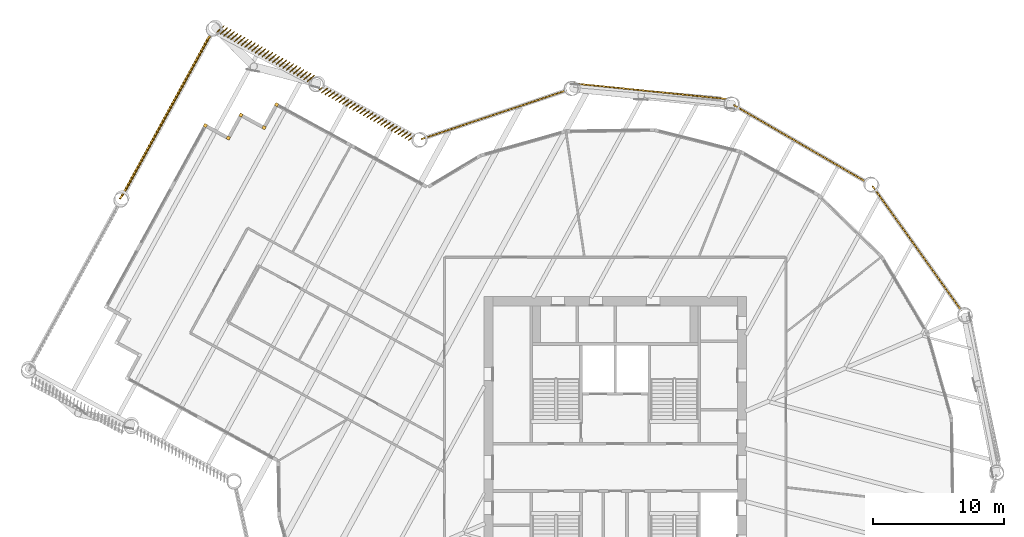
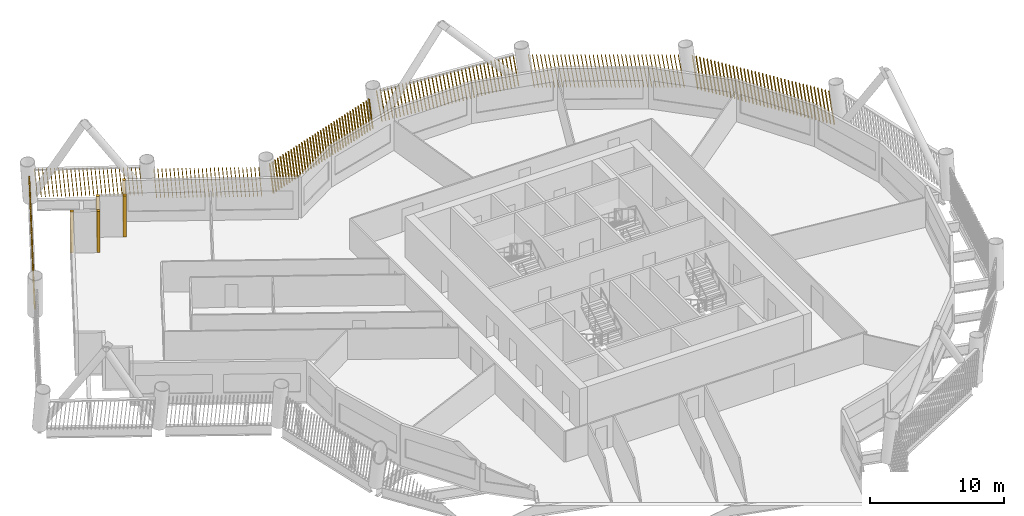
# One storey, part 23 of 24: 12 shading devices.
"""IFC4 building model written with IfcOpenShell, lengths in metres."""

from ifc_helpers import new_model, si_unit, direction, frame, frame_2d, origin, origin_2d, place, context, subcontext, project, spatial, rectangle, composite_profile, extrude, material, type_object, element, save


model = new_model("IFC4")

# Units and contexts
model_context = context("Model", 3, precision=1e-05, world=origin(), true_north=direction((0.0, 1.0)))
body_context = subcontext(model_context, "Body", "Model", "MODEL_VIEW")
ifc_project = project(units=[si_unit("LENGTHUNIT", "METRE"), si_unit("AREAUNIT", "SQUARE_METRE"), si_unit("VOLUMEUNIT", "CUBIC_METRE"), si_unit("PLANEANGLEUNIT", "RADIAN"), si_unit("MASSUNIT", "GRAM", prefix="KILO")], contexts=[model_context])

# Site, building, storey
site_placement = place(None, origin())
site = spatial("IfcSite", under=ifc_project, at=site_placement, CompositionType="ELEMENT")
building_placement = place(site_placement, origin())
building = spatial("IfcBuilding", under=site, at=building_placement, Name="Tarsis Ring Headquarters", CompositionType="ELEMENT")
storey_placement = place(building_placement, frame((0.0, 0.0, 163.199951171875)))
storey = spatial("IfcBuildingStorey", under=building, at=storey_placement, Name="L37", CompositionType="ELEMENT", Elevation=163.199951171875)

# Shading devices
ifc_material = material(Name="Terracotta baguette", Category="masonry")
shading_device_type_1 = type_object("IfcShadingDeviceType", Name="Terracotta baguette screen", PredefinedType="USERDEFINED", material=ifc_material)
shading_device_1_placement = place(storey_placement, frame((26.381103515625, 11.91552734375, 0.0), z_axis=(0.0, 0.0, 1.0), x_axis=(-0.580866394652, 0.814002951645, 0.0)))
element("IfcShadingDevice", 1, at=shading_device_1_placement, inside=storey, type_object=shading_device_type_1, Name="Baguette screen L37-11", ObjectType="Terracotta baguette screen", PredefinedType="USERDEFINED", context=body_context, shape_type="SweptSolid", body=[
    extrude(composite_profile([rectangle(XDim=0.06005859375, YDim=0.1201171875, at=frame_2d((0.030029296875, 0.0))), rectangle(XDim=0.06005859375, YDim=0.1201171875, at=frame_2d((0.33251953125, 0.0))), rectangle(XDim=0.06005859375, YDim=0.1201171875, at=frame_2d((0.634765625, 0.0))), rectangle(XDim=0.06005859375, YDim=0.1201171875, at=frame_2d((0.937255859375, 0.0))), rectangle(XDim=0.06005859375, YDim=0.1201171875, at=frame_2d((1.239501953125, 0.0))), rectangle(XDim=0.06005859375, YDim=0.1201171875, at=frame_2d((1.5419921875, 0.0))), rectangle(XDim=0.06005859375, YDim=0.1201171875, at=frame_2d((1.844482421875, 0.0))), rectangle(XDim=0.06005859375, YDim=0.1201171875, at=frame_2d((2.146728515625, 0.0))), rectangle(XDim=0.06005859375, YDim=0.1201171875, at=frame_2d((2.44921875, 0.0))), rectangle(XDim=0.06005859375, YDim=0.1201171875, at=frame_2d((2.751708984375, 0.0))), rectangle(XDim=0.06005859375, YDim=0.1201171875, at=frame_2d((3.053955078125, 0.0))), rectangle(XDim=0.06005859375, YDim=0.1201171875, at=frame_2d((3.3564453125, 0.0))), rectangle(XDim=0.06005859375, YDim=0.1201171875, at=frame_2d((3.65869140625, 0.0))), rectangle(XDim=0.06005859375, YDim=0.1201171875, at=frame_2d((3.961181640625, 0.0))), rectangle(XDim=0.06005859375, YDim=0.1201171875, at=frame_2d((4.263671875, 0.0))), rectangle(XDim=0.06005859375, YDim=0.1201171875, at=frame_2d((4.56591796875, 0.0))), rectangle(XDim=0.06005859375, YDim=0.1201171875, at=frame_2d((4.868408203125, 0.0))), rectangle(XDim=0.06005859375, YDim=0.1201171875, at=frame_2d((5.1708984375, 0.0))), rectangle(XDim=0.06005859375, YDim=0.1201171875, at=frame_2d((5.47314453125, 0.0))), rectangle(XDim=0.06005859375, YDim=0.1201171875, at=frame_2d((5.775634765625, 0.0))), rectangle(XDim=0.06005859375, YDim=0.1201171875, at=frame_2d((6.077880859375, 0.0))), rectangle(XDim=0.06005859375, YDim=0.1201171875, at=frame_2d((6.38037109375, 0.0))), rectangle(XDim=0.06005859375, YDim=0.1201171875, at=frame_2d((6.682861328125, 0.0))), rectangle(XDim=0.06005859375, YDim=0.1201171875, at=frame_2d((6.985107421875, 0.0))), rectangle(XDim=0.06005859375, YDim=0.1201171875, at=frame_2d((7.28759765625, 0.0))), rectangle(XDim=0.06005859375, YDim=0.1201171875, at=frame_2d((7.590087890625, 0.0))), rectangle(XDim=0.06005859375, YDim=0.1201171875, at=frame_2d((7.892333984375, 0.0))), rectangle(XDim=0.06005859375, YDim=0.1201171875, at=frame_2d((8.19482421875, 0.0))), rectangle(XDim=0.06005859375, YDim=0.1201171875, at=frame_2d((8.4970703125, 0.0))), rectangle(XDim=0.06005859375, YDim=0.1201171875, at=frame_2d((8.799560546875, 0.0))), rectangle(XDim=0.06005859375, YDim=0.1201171875, at=frame_2d((9.10205078125, 0.0))), rectangle(XDim=0.06005859375, YDim=0.1201171875, at=frame_2d((9.404296875, 0.0))), rectangle(XDim=0.06005859375, YDim=0.1201171875, at=frame_2d((9.706787109375, 0.0))), rectangle(XDim=0.06005859375, YDim=0.1201171875, at=frame_2d((10.00927734375, 0.0))), rectangle(XDim=0.06005859375, YDim=0.1201171875, at=frame_2d((10.3115234375, 0.0))), rectangle(XDim=0.06005859375, YDim=0.1201171875, at=frame_2d((10.614013671875, 0.0))), rectangle(XDim=0.06005859375, YDim=0.1201171875, at=frame_2d((10.916259765625, 0.0))), rectangle(XDim=0.06005859375, YDim=0.1201171875, at=frame_2d((11.21875, 0.0)))]), origin(), (0.14949652069, 0.001173817146, 0.988761554903), 2.9833984375),
])
shading_device_2_placement = place(storey_placement, frame((19.124267578125, 21.730224609375, 0.0), z_axis=(0.0, 0.0, 1.0), x_axis=(-0.864745203577, 0.502213733831, 0.0)))
element("IfcShadingDevice", 2, at=shading_device_2_placement, inside=storey, type_object=shading_device_type_1, Name="Baguette screen L37-12", ObjectType="Terracotta baguette screen", PredefinedType="USERDEFINED", context=body_context, shape_type="SweptSolid", body=[
    extrude(composite_profile([rectangle(XDim=0.06005859375, YDim=0.1201171875, at=frame_2d((0.030029296875, 0.0))), rectangle(XDim=0.06005859375, YDim=0.1201171875, at=frame_2d((0.33251953125, 0.0))), rectangle(XDim=0.06005859375, YDim=0.1201171875, at=frame_2d((0.634765625, 0.0))), rectangle(XDim=0.06005859375, YDim=0.1201171875, at=frame_2d((0.937255859375, 0.0))), rectangle(XDim=0.06005859375, YDim=0.1201171875, at=frame_2d((1.239501953125, 0.0))), rectangle(XDim=0.06005859375, YDim=0.1201171875, at=frame_2d((1.5419921875, 0.0))), rectangle(XDim=0.06005859375, YDim=0.1201171875, at=frame_2d((1.844482421875, 0.0))), rectangle(XDim=0.06005859375, YDim=0.1201171875, at=frame_2d((2.146728515625, 0.0))), rectangle(XDim=0.06005859375, YDim=0.1201171875, at=frame_2d((2.44921875, 0.0))), rectangle(XDim=0.06005859375, YDim=0.1201171875, at=frame_2d((2.751708984375, 0.0))), rectangle(XDim=0.06005859375, YDim=0.1201171875, at=frame_2d((3.053955078125, 0.0))), rectangle(XDim=0.06005859375, YDim=0.1201171875, at=frame_2d((3.3564453125, 0.0))), rectangle(XDim=0.06005859375, YDim=0.1201171875, at=frame_2d((3.65869140625, 0.0))), rectangle(XDim=0.06005859375, YDim=0.1201171875, at=frame_2d((3.961181640625, 0.0))), rectangle(XDim=0.06005859375, YDim=0.1201171875, at=frame_2d((4.263671875, 0.0))), rectangle(XDim=0.06005859375, YDim=0.1201171875, at=frame_2d((4.56591796875, 0.0))), rectangle(XDim=0.06005859375, YDim=0.1201171875, at=frame_2d((4.868408203125, 0.0))), rectangle(XDim=0.06005859375, YDim=0.1201171875, at=frame_2d((5.1708984375, 0.0))), rectangle(XDim=0.06005859375, YDim=0.1201171875, at=frame_2d((5.47314453125, 0.0))), rectangle(XDim=0.06005859375, YDim=0.1201171875, at=frame_2d((5.775634765625, 0.0))), rectangle(XDim=0.06005859375, YDim=0.1201171875, at=frame_2d((6.077880859375, 0.0))), rectangle(XDim=0.06005859375, YDim=0.1201171875, at=frame_2d((6.38037109375, 0.0))), rectangle(XDim=0.06005859375, YDim=0.1201171875, at=frame_2d((6.682861328125, 0.0))), rectangle(XDim=0.06005859375, YDim=0.1201171875, at=frame_2d((6.985107421875, 0.0))), rectangle(XDim=0.06005859375, YDim=0.1201171875, at=frame_2d((7.28759765625, 0.0))), rectangle(XDim=0.06005859375, YDim=0.1201171875, at=frame_2d((7.590087890625, 0.0))), rectangle(XDim=0.06005859375, YDim=0.1201171875, at=frame_2d((7.892333984375, 0.0))), rectangle(XDim=0.06005859375, YDim=0.1201171875, at=frame_2d((8.19482421875, 0.0))), rectangle(XDim=0.06005859375, YDim=0.1201171875, at=frame_2d((8.4970703125, 0.0))), rectangle(XDim=0.06005859375, YDim=0.1201171875, at=frame_2d((8.799560546875, 0.0))), rectangle(XDim=0.06005859375, YDim=0.1201171875, at=frame_2d((9.10205078125, 0.0))), rectangle(XDim=0.06005859375, YDim=0.1201171875, at=frame_2d((9.404296875, 0.0))), rectangle(XDim=0.06005859375, YDim=0.1201171875, at=frame_2d((9.706787109375, 0.0))), rectangle(XDim=0.06005859375, YDim=0.1201171875, at=frame_2d((10.00927734375, 0.0))), rectangle(XDim=0.06005859375, YDim=0.1201171875, at=frame_2d((10.3115234375, 0.0))), rectangle(XDim=0.06005859375, YDim=0.1201171875, at=frame_2d((10.614013671875, 0.0))), rectangle(XDim=0.06005859375, YDim=0.1201171875, at=frame_2d((10.916259765625, 0.0))), rectangle(XDim=0.06005859375, YDim=0.1201171875, at=frame_2d((11.21875, 0.0)))]), origin(), (0.149496162842, 0.001174900074, 0.988761607722), 2.9833984375),
])
shading_device_3_placement = place(storey_placement, frame((8.5048828125, 28.054443359375, 0.0), z_axis=(0.0, 0.0, 1.0), x_axis=(-0.994877916441, 0.101117742811, 0.0)))
element("IfcShadingDevice", 3, at=shading_device_3_placement, inside=storey, type_object=shading_device_type_1, Name="Baguette screen L37-13", ObjectType="Terracotta baguette screen", PredefinedType="USERDEFINED", context=body_context, shape_type="SweptSolid", body=[
    extrude(composite_profile([rectangle(XDim=0.06005859375, YDim=0.1201171875, at=frame_2d((0.030029296875, 0.0))), rectangle(XDim=0.06005859375, YDim=0.1201171875, at=frame_2d((0.33251953125, 0.0))), rectangle(XDim=0.06005859375, YDim=0.1201171875, at=frame_2d((0.634765625, 0.0))), rectangle(XDim=0.06005859375, YDim=0.1201171875, at=frame_2d((0.937255859375, 0.0))), rectangle(XDim=0.06005859375, YDim=0.1201171875, at=frame_2d((1.239501953125, 0.0))), rectangle(XDim=0.06005859375, YDim=0.1201171875, at=frame_2d((1.5419921875, 0.0))), rectangle(XDim=0.06005859375, YDim=0.1201171875, at=frame_2d((1.844482421875, 0.0))), rectangle(XDim=0.06005859375, YDim=0.1201171875, at=frame_2d((2.146728515625, 0.0))), rectangle(XDim=0.06005859375, YDim=0.1201171875, at=frame_2d((2.44921875, 0.0))), rectangle(XDim=0.06005859375, YDim=0.1201171875, at=frame_2d((2.751708984375, 0.0))), rectangle(XDim=0.06005859375, YDim=0.1201171875, at=frame_2d((3.053955078125, 0.0))), rectangle(XDim=0.06005859375, YDim=0.1201171875, at=frame_2d((3.3564453125, 0.0))), rectangle(XDim=0.06005859375, YDim=0.1201171875, at=frame_2d((3.65869140625, 0.0))), rectangle(XDim=0.06005859375, YDim=0.1201171875, at=frame_2d((3.961181640625, 0.0))), rectangle(XDim=0.06005859375, YDim=0.1201171875, at=frame_2d((4.263671875, 0.0))), rectangle(XDim=0.06005859375, YDim=0.1201171875, at=frame_2d((4.56591796875, 0.0))), rectangle(XDim=0.06005859375, YDim=0.1201171875, at=frame_2d((4.868408203125, 0.0))), rectangle(XDim=0.06005859375, YDim=0.1201171875, at=frame_2d((5.1708984375, 0.0))), rectangle(XDim=0.06005859375, YDim=0.1201171875, at=frame_2d((5.47314453125, 0.0))), rectangle(XDim=0.06005859375, YDim=0.1201171875, at=frame_2d((5.775634765625, 0.0))), rectangle(XDim=0.06005859375, YDim=0.1201171875, at=frame_2d((6.077880859375, 0.0))), rectangle(XDim=0.06005859375, YDim=0.1201171875, at=frame_2d((6.38037109375, 0.0))), rectangle(XDim=0.06005859375, YDim=0.1201171875, at=frame_2d((6.682861328125, 0.0))), rectangle(XDim=0.06005859375, YDim=0.1201171875, at=frame_2d((6.985107421875, 0.0))), rectangle(XDim=0.06005859375, YDim=0.1201171875, at=frame_2d((7.28759765625, 0.0))), rectangle(XDim=0.06005859375, YDim=0.1201171875, at=frame_2d((7.590087890625, 0.0))), rectangle(XDim=0.06005859375, YDim=0.1201171875, at=frame_2d((7.892333984375, 0.0))), rectangle(XDim=0.06005859375, YDim=0.1201171875, at=frame_2d((8.19482421875, 0.0))), rectangle(XDim=0.06005859375, YDim=0.1201171875, at=frame_2d((8.4970703125, 0.0))), rectangle(XDim=0.06005859375, YDim=0.1201171875, at=frame_2d((8.799560546875, 0.0))), rectangle(XDim=0.06005859375, YDim=0.1201171875, at=frame_2d((9.10205078125, 0.0))), rectangle(XDim=0.06005859375, YDim=0.1201171875, at=frame_2d((9.404296875, 0.0))), rectangle(XDim=0.06005859375, YDim=0.1201171875, at=frame_2d((9.706787109375, 0.0))), rectangle(XDim=0.06005859375, YDim=0.1201171875, at=frame_2d((10.00927734375, 0.0))), rectangle(XDim=0.06005859375, YDim=0.1201171875, at=frame_2d((10.3115234375, 0.0))), rectangle(XDim=0.06005859375, YDim=0.1201171875, at=frame_2d((10.614013671875, 0.0))), rectangle(XDim=0.06005859375, YDim=0.1201171875, at=frame_2d((10.916259765625, 0.0))), rectangle(XDim=0.06005859375, YDim=0.1201171875, at=frame_2d((11.21875, 0.0)))]), origin(), (0.151425754197, 0.001188864208, 0.988467919342), 2.984375),
])
shading_device_4_placement = place(storey_placement, frame((-3.695556640625, 28.71044921875, 0.0), z_axis=(0.0, 0.0, 1.0), x_axis=(-0.948107474607, -0.317952947304, 0.0)))
element("IfcShadingDevice", 4, at=shading_device_4_placement, inside=storey, type_object=shading_device_type_1, Name="Baguette screen L37-14", ObjectType="Terracotta baguette screen", PredefinedType="USERDEFINED", context=body_context, shape_type="SweptSolid", body=[
    extrude(composite_profile([rectangle(XDim=0.06005859375, YDim=0.1201171875, at=frame_2d((0.030029296875, 0.0))), rectangle(XDim=0.06005859375, YDim=0.1201171875, at=frame_2d((0.33251953125, 0.0))), rectangle(XDim=0.06005859375, YDim=0.1201171875, at=frame_2d((0.634765625, 0.0))), rectangle(XDim=0.06005859375, YDim=0.1201171875, at=frame_2d((0.937255859375, 0.0))), rectangle(XDim=0.06005859375, YDim=0.1201171875, at=frame_2d((1.239501953125, 0.0))), rectangle(XDim=0.06005859375, YDim=0.1201171875, at=frame_2d((1.5419921875, 0.0))), rectangle(XDim=0.06005859375, YDim=0.1201171875, at=frame_2d((1.844482421875, 0.0))), rectangle(XDim=0.06005859375, YDim=0.1201171875, at=frame_2d((2.146728515625, 0.0))), rectangle(XDim=0.06005859375, YDim=0.1201171875, at=frame_2d((2.44921875, 0.0))), rectangle(XDim=0.06005859375, YDim=0.1201171875, at=frame_2d((2.751708984375, 0.0))), rectangle(XDim=0.06005859375, YDim=0.1201171875, at=frame_2d((3.053955078125, 0.0))), rectangle(XDim=0.06005859375, YDim=0.1201171875, at=frame_2d((3.3564453125, 0.0))), rectangle(XDim=0.06005859375, YDim=0.1201171875, at=frame_2d((3.65869140625, 0.0))), rectangle(XDim=0.06005859375, YDim=0.1201171875, at=frame_2d((3.961181640625, 0.0))), rectangle(XDim=0.06005859375, YDim=0.1201171875, at=frame_2d((4.263671875, 0.0))), rectangle(XDim=0.06005859375, YDim=0.1201171875, at=frame_2d((4.56591796875, 0.0))), rectangle(XDim=0.06005859375, YDim=0.1201171875, at=frame_2d((4.868408203125, 0.0))), rectangle(XDim=0.06005859375, YDim=0.1201171875, at=frame_2d((5.1708984375, 0.0))), rectangle(XDim=0.06005859375, YDim=0.1201171875, at=frame_2d((5.47314453125, 0.0))), rectangle(XDim=0.06005859375, YDim=0.1201171875, at=frame_2d((5.775634765625, 0.0))), rectangle(XDim=0.06005859375, YDim=0.1201171875, at=frame_2d((6.077880859375, 0.0))), rectangle(XDim=0.06005859375, YDim=0.1201171875, at=frame_2d((6.38037109375, 0.0))), rectangle(XDim=0.06005859375, YDim=0.1201171875, at=frame_2d((6.682861328125, 0.0))), rectangle(XDim=0.06005859375, YDim=0.1201171875, at=frame_2d((6.985107421875, 0.0))), rectangle(XDim=0.06005859375, YDim=0.1201171875, at=frame_2d((7.28759765625, 0.0))), rectangle(XDim=0.06005859375, YDim=0.1201171875, at=frame_2d((7.590087890625, 0.0))), rectangle(XDim=0.06005859375, YDim=0.1201171875, at=frame_2d((7.892333984375, 0.0))), rectangle(XDim=0.06005859375, YDim=0.1201171875, at=frame_2d((8.19482421875, 0.0))), rectangle(XDim=0.06005859375, YDim=0.1201171875, at=frame_2d((8.4970703125, 0.0))), rectangle(XDim=0.06005859375, YDim=0.1201171875, at=frame_2d((8.799560546875, 0.0))), rectangle(XDim=0.06005859375, YDim=0.1201171875, at=frame_2d((9.10205078125, 0.0))), rectangle(XDim=0.06005859375, YDim=0.1201171875, at=frame_2d((9.404296875, 0.0))), rectangle(XDim=0.06005859375, YDim=0.1201171875, at=frame_2d((9.706787109375, 0.0))), rectangle(XDim=0.06005859375, YDim=0.1201171875, at=frame_2d((10.00927734375, 0.0))), rectangle(XDim=0.06005859375, YDim=0.1201171875, at=frame_2d((10.3115234375, 0.0))), rectangle(XDim=0.06005859375, YDim=0.1201171875, at=frame_2d((10.614013671875, 0.0))), rectangle(XDim=0.06005859375, YDim=0.1201171875, at=frame_2d((10.916259765625, 0.0))), rectangle(XDim=0.06005859375, YDim=0.1201171875, at=frame_2d((11.21875, 0.0)))]), origin(), (0.149496071854, 0.001173109952, 0.988761623605), 2.9833984375),
])
shading_device_5_placement = place(storey_placement, frame((-15.273681640625, 25.214599609375, 0.0), z_axis=(0.0, 0.0, 1.0), x_axis=(-0.877471576866, 0.479609490855, 0.0)))
element("IfcShadingDevice", 5, at=shading_device_5_placement, inside=storey, type_object=shading_device_type_1, Name="Baguette screen L37-15", ObjectType="Terracotta baguette screen", PredefinedType="USERDEFINED", context=body_context, shape_type="SweptSolid", body=[
    extrude(composite_profile([rectangle(XDim=0.06005859375, YDim=0.1201171875, at=frame_2d((0.030029296875, 0.0))), rectangle(XDim=0.06005859375, YDim=0.1201171875, at=frame_2d((0.33154296875, 0.0))), rectangle(XDim=0.06005859375, YDim=0.1201171875, at=frame_2d((0.63330078125, 0.0))), rectangle(XDim=0.06005859375, YDim=0.1201171875, at=frame_2d((0.934814453125, 0.0))), rectangle(XDim=0.06005859375, YDim=0.1201171875, at=frame_2d((1.236572265625, 0.0))), rectangle(XDim=0.06005859375, YDim=0.1201171875, at=frame_2d((1.5380859375, 0.0))), rectangle(XDim=0.06005859375, YDim=0.1201171875, at=frame_2d((1.83984375, 0.0))), rectangle(XDim=0.06005859375, YDim=0.1201171875, at=frame_2d((2.141357421875, 0.0))), rectangle(XDim=0.06005859375, YDim=0.1201171875, at=frame_2d((2.443115234375, 0.0))), rectangle(XDim=0.06005859375, YDim=0.1201171875, at=frame_2d((2.74462890625, 0.0))), rectangle(XDim=0.06005859375, YDim=0.1201171875, at=frame_2d((3.04638671875, 0.0))), rectangle(XDim=0.06005859375, YDim=0.1201171875, at=frame_2d((3.347900390625, 0.0))), rectangle(XDim=0.06005859375, YDim=0.1201171875, at=frame_2d((3.649658203125, 0.0))), rectangle(XDim=0.06005859375, YDim=0.1201171875, at=frame_2d((3.951171875, 0.0))), rectangle(XDim=0.06005859375, YDim=0.1201171875, at=frame_2d((4.252685546875, 0.0))), rectangle(XDim=0.06005859375, YDim=0.1201171875, at=frame_2d((4.554443359375, 0.0))), rectangle(XDim=0.06005859375, YDim=0.1201171875, at=frame_2d((4.85595703125, 0.0))), rectangle(XDim=0.06005859375, YDim=0.1201171875, at=frame_2d((5.15771484375, 0.0))), rectangle(XDim=0.06005859375, YDim=0.1201171875, at=frame_2d((5.459228515625, 0.0))), rectangle(XDim=0.06005859375, YDim=0.1201171875, at=frame_2d((5.760986328125, 0.0))), rectangle(XDim=0.06005859375, YDim=0.1201171875, at=frame_2d((6.0625, 0.0))), rectangle(XDim=0.06005859375, YDim=0.1201171875, at=frame_2d((6.3642578125, 0.0))), rectangle(XDim=0.06005859375, YDim=0.1201171875, at=frame_2d((6.665771484375, 0.0))), rectangle(XDim=0.06005859375, YDim=0.1201171875, at=frame_2d((6.967529296875, 0.0))), rectangle(XDim=0.06005859375, YDim=0.1201171875, at=frame_2d((7.26904296875, 0.0))), rectangle(XDim=0.06005859375, YDim=0.1201171875, at=frame_2d((7.57080078125, 0.0))), rectangle(XDim=0.06005859375, YDim=0.1201171875, at=frame_2d((7.872314453125, 0.0)))]), origin(), (0.076404000332, 0.155040133096, 0.984949230094), 2.9951171875),
])
shading_device_6_placement = place(storey_placement, frame((-22.9052734375, 29.813232421875, 0.0), z_axis=(0.0, 0.0, 1.0), x_axis=(-0.877471576866, 0.479609490855, 0.0)))
element("IfcShadingDevice", 6, at=shading_device_6_placement, inside=storey, type_object=shading_device_type_1, Name="Baguette screen L37-16", ObjectType="Terracotta baguette screen", PredefinedType="USERDEFINED", context=body_context, shape_type="SweptSolid", body=[
    extrude(composite_profile([rectangle(XDim=0.06005859375, YDim=0.1201171875, at=frame_2d((0.030029296875, 0.0))), rectangle(XDim=0.06005859375, YDim=0.1201171875, at=frame_2d((0.33154296875, 0.0))), rectangle(XDim=0.06005859375, YDim=0.1201171875, at=frame_2d((0.63330078125, 0.0))), rectangle(XDim=0.06005859375, YDim=0.1201171875, at=frame_2d((0.934814453125, 0.0))), rectangle(XDim=0.06005859375, YDim=0.1201171875, at=frame_2d((1.236572265625, 0.0))), rectangle(XDim=0.06005859375, YDim=0.1201171875, at=frame_2d((1.5380859375, 0.0))), rectangle(XDim=0.06005859375, YDim=0.1201171875, at=frame_2d((1.83984375, 0.0))), rectangle(XDim=0.06005859375, YDim=0.1201171875, at=frame_2d((2.141357421875, 0.0))), rectangle(XDim=0.06005859375, YDim=0.1201171875, at=frame_2d((2.443115234375, 0.0))), rectangle(XDim=0.06005859375, YDim=0.1201171875, at=frame_2d((2.74462890625, 0.0))), rectangle(XDim=0.06005859375, YDim=0.1201171875, at=frame_2d((3.04638671875, 0.0))), rectangle(XDim=0.06005859375, YDim=0.1201171875, at=frame_2d((3.347900390625, 0.0))), rectangle(XDim=0.06005859375, YDim=0.1201171875, at=frame_2d((3.649658203125, 0.0))), rectangle(XDim=0.06005859375, YDim=0.1201171875, at=frame_2d((3.951171875, 0.0))), rectangle(XDim=0.06005859375, YDim=0.1201171875, at=frame_2d((4.252685546875, 0.0))), rectangle(XDim=0.06005859375, YDim=0.1201171875, at=frame_2d((4.554443359375, 0.0))), rectangle(XDim=0.06005859375, YDim=0.1201171875, at=frame_2d((4.85595703125, 0.0))), rectangle(XDim=0.06005859375, YDim=0.1201171875, at=frame_2d((5.15771484375, 0.0))), rectangle(XDim=0.06005859375, YDim=0.1201171875, at=frame_2d((5.459228515625, 0.0))), rectangle(XDim=0.06005859375, YDim=0.1201171875, at=frame_2d((5.760986328125, 0.0))), rectangle(XDim=0.06005859375, YDim=0.1201171875, at=frame_2d((6.0625, 0.0))), rectangle(XDim=0.06005859375, YDim=0.1201171875, at=frame_2d((6.3642578125, 0.0))), rectangle(XDim=0.06005859375, YDim=0.1201171875, at=frame_2d((6.665771484375, 0.0))), rectangle(XDim=0.06005859375, YDim=0.1201171875, at=frame_2d((6.967529296875, 0.0))), rectangle(XDim=0.06005859375, YDim=0.1201171875, at=frame_2d((7.26904296875, 0.0))), rectangle(XDim=0.06005859375, YDim=0.1201171875, at=frame_2d((7.57080078125, 0.0))), rectangle(XDim=0.06005859375, YDim=0.1201171875, at=frame_2d((7.872314453125, 0.0)))]), origin(), (0.077352450697, 0.200058287414, 0.976725795711), 3.020263671875),
])
shading_device_7_placement = place(storey_placement, frame((-30.69775390625, 33.075439453125, 0.0), z_axis=(0.0, 0.0, 1.0), x_axis=(-0.479610791685, -0.87748783724, 0.0)))
element("IfcShadingDevice", 7, at=shading_device_7_placement, inside=storey, type_object=shading_device_type_1, Name="Baguette screen L37-17", ObjectType="Terracotta baguette screen", PredefinedType="USERDEFINED", context=body_context, shape_type="SweptSolid", body=[
    extrude(composite_profile([rectangle(XDim=0.06005859375, YDim=0.1201171875, at=frame_2d((0.030029296875, 0.0))), rectangle(XDim=0.06005859375, YDim=0.1201171875, at=frame_2d((0.33544921875, 0.0))), rectangle(XDim=0.06005859375, YDim=0.1201171875, at=frame_2d((0.640625, 0.0))), rectangle(XDim=0.06005859375, YDim=0.1201171875, at=frame_2d((0.946044921875, 0.0))), rectangle(XDim=0.06005859375, YDim=0.1201171875, at=frame_2d((1.25146484375, 0.0))), rectangle(XDim=0.06005859375, YDim=0.1201171875, at=frame_2d((1.556640625, 0.0))), rectangle(XDim=0.06005859375, YDim=0.1201171875, at=frame_2d((1.862060546875, 0.0))), rectangle(XDim=0.06005859375, YDim=0.1201171875, at=frame_2d((2.16748046875, 0.0))), rectangle(XDim=0.06005859375, YDim=0.1201171875, at=frame_2d((2.47265625, 0.0))), rectangle(XDim=0.06005859375, YDim=0.1201171875, at=frame_2d((2.778076171875, 0.0))), rectangle(XDim=0.06005859375, YDim=0.1201171875, at=frame_2d((3.08349609375, 0.0))), rectangle(XDim=0.06005859375, YDim=0.1201171875, at=frame_2d((3.388671875, 0.0))), rectangle(XDim=0.06005859375, YDim=0.1201171875, at=frame_2d((3.694091796875, 0.0))), rectangle(XDim=0.06005859375, YDim=0.1201171875, at=frame_2d((3.99951171875, 0.0))), rectangle(XDim=0.06005859375, YDim=0.1201171875, at=frame_2d((4.3046875, 0.0))), rectangle(XDim=0.06005859375, YDim=0.1201171875, at=frame_2d((4.610107421875, 0.0))), rectangle(XDim=0.06005859375, YDim=0.1201171875, at=frame_2d((4.91552734375, 0.0))), rectangle(XDim=0.06005859375, YDim=0.1201171875, at=frame_2d((5.220703125, 0.0))), rectangle(XDim=0.06005859375, YDim=0.1201171875, at=frame_2d((5.526123046875, 0.0))), rectangle(XDim=0.06005859375, YDim=0.1201171875, at=frame_2d((5.83154296875, 0.0))), rectangle(XDim=0.06005859375, YDim=0.1201171875, at=frame_2d((6.13671875, 0.0))), rectangle(XDim=0.06005859375, YDim=0.1201171875, at=frame_2d((6.442138671875, 0.0))), rectangle(XDim=0.06005859375, YDim=0.1201171875, at=frame_2d((6.74755859375, 0.0))), rectangle(XDim=0.06005859375, YDim=0.1201171875, at=frame_2d((7.052734375, 0.0))), rectangle(XDim=0.06005859375, YDim=0.1201171875, at=frame_2d((7.358154296875, 0.0))), rectangle(XDim=0.06005859375, YDim=0.1201171875, at=frame_2d((7.66357421875, 0.0))), rectangle(XDim=0.06005859375, YDim=0.1201171875, at=frame_2d((7.96875, 0.0))), rectangle(XDim=0.06005859375, YDim=0.1201171875, at=frame_2d((8.274169921875, 0.0))), rectangle(XDim=0.06005859375, YDim=0.1201171875, at=frame_2d((8.57958984375, 0.0))), rectangle(XDim=0.06005859375, YDim=0.1201171875, at=frame_2d((8.884765625, 0.0))), rectangle(XDim=0.06005859375, YDim=0.1201171875, at=frame_2d((9.190185546875, 0.0))), rectangle(XDim=0.06005859375, YDim=0.1201171875, at=frame_2d((9.49560546875, 0.0))), rectangle(XDim=0.06005859375, YDim=0.1201171875, at=frame_2d((9.80078125, 0.0))), rectangle(XDim=0.06005859375, YDim=0.1201171875, at=frame_2d((10.106201171875, 0.0))), rectangle(XDim=0.06005859375, YDim=0.1201171875, at=frame_2d((10.41162109375, 0.0))), rectangle(XDim=0.06005859375, YDim=0.1201171875, at=frame_2d((10.716796875, 0.0))), rectangle(XDim=0.06005859375, YDim=0.1201171875, at=frame_2d((11.022216796875, 0.0))), rectangle(XDim=0.06005859375, YDim=0.1201171875, at=frame_2d((11.32763671875, 0.0))), rectangle(XDim=0.06005859375, YDim=0.1201171875, at=frame_2d((11.6328125, 0.0))), rectangle(XDim=0.06005859375, YDim=0.1201171875, at=frame_2d((11.938232421875, 0.0))), rectangle(XDim=0.06005859375, YDim=0.1201171875, at=frame_2d((12.24365234375, 0.0))), rectangle(XDim=0.06005859375, YDim=0.1201171875, at=frame_2d((12.548828125, 0.0))), rectangle(XDim=0.06005859375, YDim=0.1201171875, at=frame_2d((12.854248046875, 0.0))), rectangle(XDim=0.06005859375, YDim=0.1201171875, at=frame_2d((13.15966796875, 0.0))), rectangle(XDim=0.06005859375, YDim=0.1201171875, at=frame_2d((13.46484375, 0.0))), rectangle(XDim=0.06005859375, YDim=0.1201171875, at=frame_2d((13.770263671875, 0.0)))]), origin(), (0.22233438801, -0.036645692631, 0.974281536888), 3.02783203125),
])
shading_device_type_2 = type_object("IfcShadingDeviceType", Name="Terracotta corner baguette 250x250", PredefinedType="USERDEFINED", material=ifc_material)
for number, where, z_axis, x_axis, name in (
    (8, (-25.7841796875, 27.626220703125, 0.0), (0.0, 0.0, 1.0), (-0.877481225912, 0.479610986292, 0.0), "Corner baguette L37-32"),
    (9, (-26.743408203125, 25.87109375, 0.0), (0.0, 0.0, 1.0), (-0.47961147637, -0.877480958046, 0.0), "Corner baguette L37-33"),
    (10, (-28.49853515625, 26.830322265625, 0.0), (0.0, 0.0, 1.0), (-0.877481376586, 0.479610710624, 0.0), "Corner baguette L37-34"),
    (11, (-29.457763671875, 25.075439453125, 0.0), (0.0, 0.0, 1.0), (-0.479611093497, -0.877481167316, 0.0), "Corner baguette L37-35"),
    (12, (-31.212646484375, 26.03466796875, 0.0), (0.0, 0.0, 1.0), (-0.877481167316, 0.479611093497, 0.0), "Corner baguette L37-36"),
):
    element("IfcShadingDevice", number, at=place(storey_placement, frame(where, z_axis=z_axis, x_axis=x_axis)), inside=storey, type_object=shading_device_type_2, Name=name, ObjectType="Terracotta corner baguette", PredefinedType="USERDEFINED", context=body_context, shape_type="SweptSolid", body=[
        extrude(rectangle(XDim=0.25, YDim=0.25, at=origin_2d()), origin(), (0.0, 0.0, 1.0), 3.739990234375),
    ])

save(model, "model.ifc")
